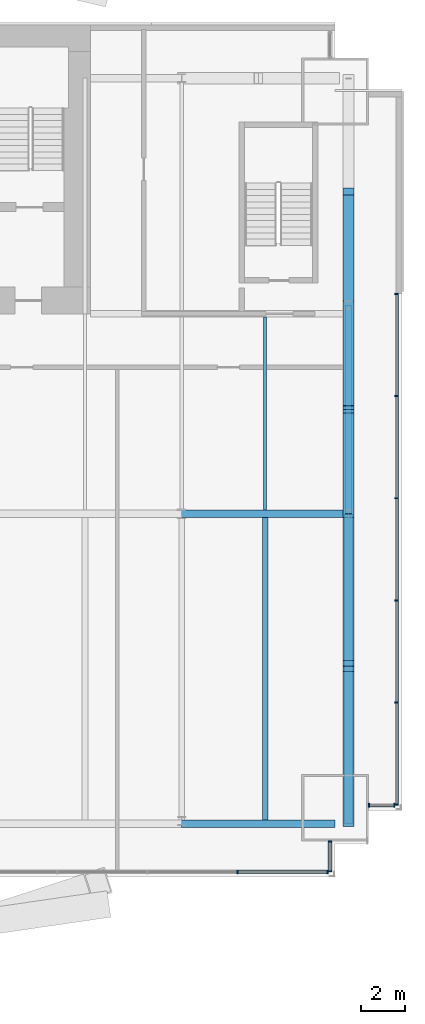
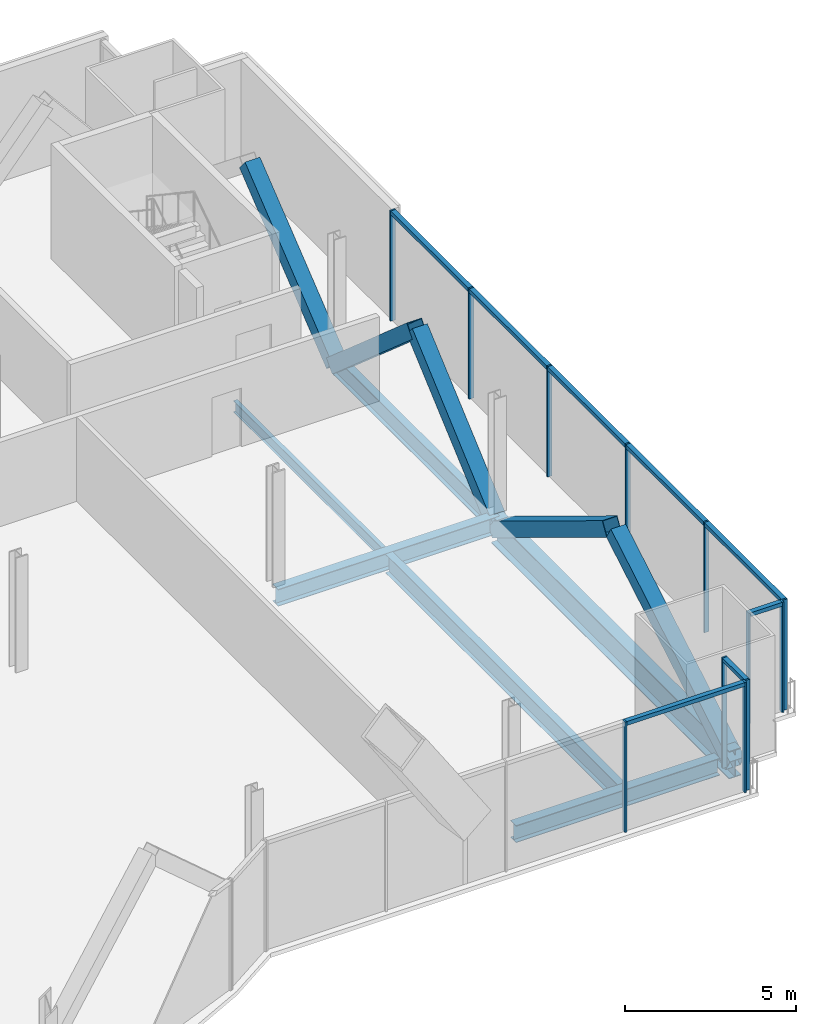
# One storey, part 13 of 22: 25 members, 6 beams, 4 elements without a shape of their own.
"""IFC4 building model written with IfcOpenShell, lengths in metres."""

from ifc_helpers import new_model, si_unit, direction, frame, origin, origin_2d, place, context, subcontext, project, spatial, rectangle, hollow_rectangle, i_section, extrude, material, material_profile, profile_set, type_object, element, aggregate, save


model = new_model("IFC4")

# Units and contexts
model_context = context("Model", 3, precision=1e-05, world=origin(), true_north=direction((0.0, 1.0)))
body_context = subcontext(model_context, "Body", "Model", "MODEL_VIEW")
ifc_project = project(units=[si_unit("LENGTHUNIT", "METRE"), si_unit("AREAUNIT", "SQUARE_METRE"), si_unit("VOLUMEUNIT", "CUBIC_METRE"), si_unit("PLANEANGLEUNIT", "RADIAN"), si_unit("MASSUNIT", "GRAM", prefix="KILO")], contexts=[model_context])

# Site, building, storey
site_placement = place(None, origin())
site = spatial("IfcSite", under=ifc_project, at=site_placement, CompositionType="ELEMENT")
building_placement = place(site_placement, origin())
building = spatial("IfcBuilding", under=site, at=building_placement, Name="Bicima Exchange Tower", CompositionType="ELEMENT")
storey_placement = place(building_placement, frame((0.0, 0.0, 102.199951171875)))
storey = spatial("IfcBuildingStorey", under=building, at=storey_placement, Name="L21", CompositionType="ELEMENT", Elevation=102.199951171875)

# Curtain wall, members
ifc_material_1 = material(Name="Anodised bronze aluminium", Category="aluminium")
curtain_wall_type_1 = type_object("IfcCurtainWallType", Name="End face glass wall", PredefinedType="NOTDEFINED", material=ifc_material_1)
curtain_wall_1_placement = place(storey_placement, origin())
curtain_wall_1 = element("IfcCurtainWall", 1, at=curtain_wall_1_placement, inside=storey, type_object=curtain_wall_type_1, Name="End face glass wall L21 run 19", PredefinedType="NOTDEFINED")
ifc_material_profile_1 = material_profile(ifc_material_1, rectangle(XDim=0.159912109375, YDim=0.06005859375, at=origin_2d()))
ifc_profile_set_1 = profile_set([ifc_material_profile_1], Name="Anodised bronze aluminium")
member_type_1 = type_object("IfcMemberType", Name="End face glass wall mullion 60 x 160", PredefinedType="MULLION", material=ifc_profile_set_1)
member_1_placement = place(storey_placement, frame((35.77001953125, -35.080078125, 0.0), z_axis=(0.0, 0.0, 1.0), x_axis=(-1.0, 0.0, 0.0)))
member_1 = element("IfcMember", 2, at=member_1_placement, type_object=member_type_1, Name="End face glass wall mullion 1", PredefinedType="MULLION", context=body_context, shape_type="SweptSolid", body=[
    extrude(rectangle(XDim=0.159912109375, YDim=0.06005859375, at=origin_2d()), origin(), (0.0, 0.0, 1.0), 3.949951171875),
])
member_2_placement = place(storey_placement, frame((35.77001953125, -30.486083984375, 0.0), z_axis=(0.0, 0.0, 1.0), x_axis=(-1.0, 0.0, 0.0)))
member_2 = element("IfcMember", 3, at=member_2_placement, type_object=member_type_1, Name="End face glass wall mullion 2", PredefinedType="MULLION", context=body_context, shape_type="SweptSolid", body=[
    extrude(rectangle(XDim=0.159912109375, YDim=0.06005859375, at=origin_2d()), origin(), (0.0, 0.0, 1.0), 3.949951171875),
])
member_3_placement = place(storey_placement, frame((35.77001953125, -25.89208984375, 0.0), z_axis=(0.0, 0.0, 1.0), x_axis=(-1.0, 0.0, 0.0)))
member_3 = element("IfcMember", 4, at=member_3_placement, type_object=member_type_1, Name="End face glass wall mullion 3", PredefinedType="MULLION", context=body_context, shape_type="SweptSolid", body=[
    extrude(rectangle(XDim=0.159912109375, YDim=0.06005859375, at=origin_2d()), origin(), (0.0, 0.0, 1.0), 3.949951171875),
])
member_4_placement = place(storey_placement, frame((35.77001953125, -21.298095703125, 0.0), z_axis=(0.0, 0.0, 1.0), x_axis=(-1.0, 0.0, 0.0)))
member_4 = element("IfcMember", 5, at=member_4_placement, type_object=member_type_1, Name="End face glass wall mullion 4", PredefinedType="MULLION", context=body_context, shape_type="SweptSolid", body=[
    extrude(rectangle(XDim=0.159912109375, YDim=0.06005859375, at=origin_2d()), origin(), (0.0, 0.0, 1.0), 3.949951171875),
])
member_5_placement = place(storey_placement, frame((35.77001953125, -16.7041015625, 0.0), z_axis=(0.0, 0.0, 1.0), x_axis=(-1.0, 0.0, 0.0)))
member_5 = element("IfcMember", 6, at=member_5_placement, type_object=member_type_1, Name="End face glass wall mullion 5", PredefinedType="MULLION", context=body_context, shape_type="SweptSolid", body=[
    extrude(rectangle(XDim=0.159912109375, YDim=0.06005859375, at=origin_2d()), origin(), (0.0, 0.0, 1.0), 3.949951171875),
])
member_6_placement = place(storey_placement, frame((35.77001953125, -12.110107421875, 0.0), z_axis=(0.0, 0.0, 1.0), x_axis=(-1.0, 0.0, 0.0)))
member_6 = element("IfcMember", 7, at=member_6_placement, type_object=member_type_1, Name="End face glass wall mullion 6", PredefinedType="MULLION", context=body_context, shape_type="SweptSolid", body=[
    extrude(rectangle(XDim=0.159912109375, YDim=0.06005859375, at=origin_2d()), origin(), (0.0, 0.0, 1.0), 3.949951171875),
])
ifc_material_profile_2 = material_profile(ifc_material_1, rectangle(XDim=0.159912109375, YDim=0.139892578125, at=origin_2d()))
ifc_profile_set_2 = profile_set([ifc_material_profile_2], Name="Anodised bronze aluminium")
member_type_2 = type_object("IfcMemberType", Name="End face glass wall transom 140 x 160", PredefinedType="USERDEFINED", material=ifc_profile_set_2)
member_7_placement = place(storey_placement, frame((35.77001953125, -35.050048828125, 3.880126953125), z_axis=(0.0, 1.0, 0.0), x_axis=(-1.0, 0.0, 0.0)))
member_7 = element("IfcMember", 8, at=member_7_placement, type_object=member_type_2, Name="End face glass wall transom 1.1", ObjectType="TRANSOM", PredefinedType="USERDEFINED", context=body_context, shape_type="SweptSolid", body=[
    extrude(rectangle(XDim=0.159912109375, YDim=0.139892578125, at=origin_2d()), origin(), (0.0, 0.0, 1.0), 4.533935546875),
])
member_8_placement = place(storey_placement, frame((35.77001953125, -30.4560546875, 3.880126953125), z_axis=(0.0, 1.0, 0.0), x_axis=(-1.0, 0.0, 0.0)))
member_8 = element("IfcMember", 9, at=member_8_placement, type_object=member_type_2, Name="End face glass wall transom 2.1", ObjectType="TRANSOM", PredefinedType="USERDEFINED", context=body_context, shape_type="SweptSolid", body=[
    extrude(rectangle(XDim=0.159912109375, YDim=0.139892578125, at=origin_2d()), origin(), (0.0, 0.0, 1.0), 4.533935546875),
])
member_9_placement = place(storey_placement, frame((35.77001953125, -25.862060546875, 3.880126953125), z_axis=(0.0, 1.0, 0.0), x_axis=(-1.0, 0.0, 0.0)))
member_9 = element("IfcMember", 10, at=member_9_placement, type_object=member_type_2, Name="End face glass wall transom 3.1", ObjectType="TRANSOM", PredefinedType="USERDEFINED", context=body_context, shape_type="SweptSolid", body=[
    extrude(rectangle(XDim=0.159912109375, YDim=0.139892578125, at=origin_2d()), origin(), (0.0, 0.0, 1.0), 4.5341796875),
])
member_10_placement = place(storey_placement, frame((35.77001953125, -21.26806640625, 3.880126953125), z_axis=(0.0, 1.0, 0.0), x_axis=(-1.0, 0.0, 0.0)))
member_10 = element("IfcMember", 11, at=member_10_placement, type_object=member_type_2, Name="End face glass wall transom 4.1", ObjectType="TRANSOM", PredefinedType="USERDEFINED", context=body_context, shape_type="SweptSolid", body=[
    extrude(rectangle(XDim=0.159912109375, YDim=0.139892578125, at=origin_2d()), origin(), (0.0, 0.0, 1.0), 4.5341796875),
])
member_11_placement = place(storey_placement, frame((35.77001953125, -16.674072265625, 3.880126953125), z_axis=(0.0, 1.0, 0.0), x_axis=(-1.0, 0.0, 0.0)))
member_11 = element("IfcMember", 12, at=member_11_placement, type_object=member_type_2, Name="End face glass wall transom 5.1", ObjectType="TRANSOM", PredefinedType="USERDEFINED", context=body_context, shape_type="SweptSolid", body=[
    extrude(rectangle(XDim=0.159912109375, YDim=0.139892578125, at=origin_2d()), origin(), (0.0, 0.0, 1.0), 4.5341796875),
])
aggregate(curtain_wall_1, [member_1, member_2, member_3, member_4, member_5, member_6, member_7, member_8, member_9, member_10, member_11])

# Beams
ifc_material_2 = material(Name="Steel ASTM A992 Gr 50", Category="steel")
ifc_material_profile_3 = material_profile(ifc_material_2, i_section(OverallWidth=0.256591796875, OverallDepth=0.693359375, WebThickness=0.014404296875, FlangeThickness=0.023681640625, at=origin_2d()))
ifc_profile_set_3 = profile_set([ifc_material_profile_3], Name="Steel ASTM A992 Gr 50")
beam_type_1 = type_object("IfcBeamType", Name="End girder W27x114", PredefinedType="BEAM", material=ifc_profile_set_3)
beam_1_placement = place(storey_placement, frame((33.60009765625, -12.60009765625, -0.49658203125), z_axis=(0.0, -1.0, 0.0), x_axis=(1.0, 0.0, 0.0)))
element("IfcBeam", 13, at=beam_1_placement, inside=storey, type_object=beam_type_1, Name="End girder", PredefinedType="BEAM", context=body_context, shape_type="SweptSolid", body=[
    extrude(i_section(OverallWidth=0.256591796875, OverallDepth=0.693359375, WebThickness=0.014404296875, FlangeThickness=0.023681640625, at=origin_2d()), origin(), (0.0, 0.0, 1.0), 9.39990234375),
])
ifc_material_profile_4 = material_profile(ifc_material_2, i_section(OverallWidth=0.4013671875, OverallDepth=0.990478515625, WebThickness=0.0166015625, FlangeThickness=0.031005859375, at=origin_2d()))
ifc_profile_set_4 = profile_set([ifc_material_profile_4], Name="Steel ASTM A992 Gr 50")
beam_type_2 = type_object("IfcBeamType", Name="End girder W40x215", PredefinedType="BEAM", material=ifc_profile_set_4)
beam_2_placement = place(storey_placement, frame((33.60009765625, -22.0, -0.645263671875), z_axis=(0.0, -1.0, 0.0), x_axis=(1.0, 0.0, 0.0)))
element("IfcBeam", 14, at=beam_2_placement, inside=storey, type_object=beam_type_2, Name="End girder", PredefinedType="BEAM", context=body_context, shape_type="SweptSolid", body=[
    extrude(i_section(OverallWidth=0.4013671875, OverallDepth=0.990478515625, WebThickness=0.0166015625, FlangeThickness=0.031005859375, at=origin_2d()), origin(), (0.0, 0.0, 1.0), 13.93994140625),
])
ifc_material_profile_5 = material_profile(ifc_material_2, i_section(OverallWidth=0.140380859375, OverallDepth=0.40380859375, WebThickness=0.007080078125, FlangeThickness=0.01123046875, at=origin_2d()))
ifc_profile_set_5 = profile_set([ifc_material_profile_5], Name="Steel ASTM A992 Gr 50")
beam_type_3 = type_object("IfcBeamType", Name="Floor beam W16x31", PredefinedType="JOIST", material=ifc_profile_set_5)
beam_3_placement = place(storey_placement, frame((29.85009765625, -13.15234375, -0.351806640625), z_axis=(0.0, -1.0, 0.0), x_axis=(1.0, 0.0, 0.0)))
element("IfcBeam", 15, at=beam_3_placement, inside=storey, type_object=beam_type_3, Name="Floor beam", PredefinedType="JOIST", context=body_context, shape_type="SweptSolid", body=[
    extrude(i_section(OverallWidth=0.140380859375, OverallDepth=0.40380859375, WebThickness=0.007080078125, FlangeThickness=0.01123046875, at=origin_2d()), origin(), (0.0, 0.0, 1.0), 8.68505859375),
])
ifc_material_profile_6 = material_profile(ifc_material_2, i_section(OverallWidth=0.25390625, OverallDepth=0.67822265625, WebThickness=0.01171875, FlangeThickness=0.016357421875, at=origin_2d()))
ifc_profile_set_6 = profile_set([ifc_material_profile_6], Name="Steel ASTM A992 Gr 50")
beam_type_4 = type_object("IfcBeamType", Name="Floor beam W27x84", PredefinedType="JOIST", material=ifc_profile_set_6)
beam_4_placement = place(storey_placement, frame((29.85009765625, -22.16259765625, -0.489013671875), z_axis=(0.0, -1.0, 0.0), x_axis=(1.0, 0.0, 0.0)))
element("IfcBeam", 16, at=beam_4_placement, inside=storey, type_object=beam_type_4, Name="Floor beam", PredefinedType="JOIST", context=body_context, shape_type="SweptSolid", body=[
    extrude(i_section(OverallWidth=0.25390625, OverallDepth=0.67822265625, WebThickness=0.01171875, FlangeThickness=0.016357421875, at=origin_2d()), origin(), (0.0, 0.0, 1.0), 13.61474609375),
])
ifc_material_profile_7 = material_profile(ifc_material_2, i_section(OverallWidth=0.3251953125, OverallDepth=0.612060546875, WebThickness=0.0126953125, FlangeThickness=0.01904296875, at=origin_2d()))
ifc_profile_set_7 = profile_set([ifc_material_profile_7], Name="Steel ASTM A992 Gr 50")
beam_type_5 = type_object("IfcBeamType", Name="Front girder W24x104", PredefinedType="BEAM", material=ifc_profile_set_7)
beam_5_placement = place(storey_placement, frame((26.10009765625, -35.93994140625, -0.4560546875), z_axis=(1.0, 0.0, 0.0), x_axis=(0.0, 1.0, 0.0)))
element("IfcBeam", 17, at=beam_5_placement, inside=storey, type_object=beam_type_5, Name="Front girder", PredefinedType="BEAM", context=body_context, shape_type="SweptSolid", body=[
    extrude(i_section(OverallWidth=0.3251953125, OverallDepth=0.612060546875, WebThickness=0.0126953125, FlangeThickness=0.01904296875, at=origin_2d()), origin(), (0.0, 0.0, 1.0), 6.89990234375),
])

# Curtain wall, members
curtain_wall_type_2 = type_object("IfcCurtainWallType", Name="Front glass wall", PredefinedType="NOTDEFINED", material=ifc_material_1)
curtain_wall_2_placement = place(storey_placement, origin())
curtain_wall_2 = element("IfcCurtainWall", 18, at=curtain_wall_2_placement, inside=storey, type_object=curtain_wall_type_2, Name="Front glass wall L21 run 16", PredefinedType="NOTDEFINED")
member_type_3 = type_object("IfcMemberType", Name="Front glass wall mullion 60 x 160", PredefinedType="MULLION", material=ifc_profile_set_1)
member_12_placement = place(storey_placement, frame((28.610595703125, -38.110107421875, 0.0), z_axis=(0.0, 0.0, 1.0), x_axis=(0.0, 1.0, 0.0)))
member_12 = element("IfcMember", 19, at=member_12_placement, type_object=member_type_3, Name="Front glass wall mullion 4", PredefinedType="MULLION", context=body_context, shape_type="SweptSolid", body=[
    extrude(rectangle(XDim=0.159912109375, YDim=0.06005859375, at=origin_2d()), origin(), (0.0, 0.0, 1.0), 3.949951171875),
])
member_13_placement = place(storey_placement, frame((32.659912109375, -38.110107421875, 0.0), z_axis=(0.0, 0.0, 1.0), x_axis=(0.0, 1.0, 0.0)))
member_13 = element("IfcMember", 20, at=member_13_placement, type_object=member_type_3, Name="Front glass wall mullion 5", PredefinedType="MULLION", context=body_context, shape_type="SweptSolid", body=[
    extrude(rectangle(XDim=0.159912109375, YDim=0.06005859375, at=origin_2d()), origin(), (0.0, 0.0, 1.0), 3.949951171875),
])

curtain_wall_3_placement = place(storey_placement, origin())
curtain_wall_3 = element("IfcCurtainWall", 21, at=curtain_wall_3_placement, inside=storey, type_object=curtain_wall_type_2, Name="Front glass wall L21 run 17", PredefinedType="NOTDEFINED")
member_14_placement = place(storey_placement, frame((32.77001953125, -38.080078125, 0.0), z_axis=(0.0, 0.0, 1.0), x_axis=(-1.0, 0.0, 0.0)))
member_14 = element("IfcMember", 22, at=member_14_placement, type_object=member_type_3, Name="Front glass wall mullion 1", PredefinedType="MULLION", context=body_context, shape_type="SweptSolid", body=[
    extrude(rectangle(XDim=0.159912109375, YDim=0.06005859375, at=origin_2d()), origin(), (0.0, 0.0, 1.0), 3.949951171875),
])
member_15_placement = place(storey_placement, frame((32.77001953125, -36.748046875, 0.0), z_axis=(0.0, 0.0, 1.0), x_axis=(-1.0, 0.0, 0.0)))
member_15 = element("IfcMember", 23, at=member_15_placement, type_object=member_type_3, Name="Front glass wall mullion 2", PredefinedType="MULLION", context=body_context, shape_type="SweptSolid", body=[
    extrude(rectangle(XDim=0.159912109375, YDim=0.06005859375, at=origin_2d()), origin(), (0.0, 0.0, 1.0), 3.949951171875),
])

curtain_wall_4_placement = place(storey_placement, origin())
curtain_wall_4 = element("IfcCurtainWall", 24, at=curtain_wall_4_placement, inside=storey, type_object=curtain_wall_type_2, Name="Front glass wall L21 run 18", PredefinedType="NOTDEFINED")
member_16_placement = place(storey_placement, frame((34.530029296875, -35.110107421875, 0.0), z_axis=(0.0, 0.0, 1.0), x_axis=(0.0, 1.0, 0.0)))
member_16 = element("IfcMember", 25, at=member_16_placement, type_object=member_type_3, Name="Front glass wall mullion 1", PredefinedType="MULLION", context=body_context, shape_type="SweptSolid", body=[
    extrude(rectangle(XDim=0.159912109375, YDim=0.06005859375, at=origin_2d()), origin(), (0.0, 0.0, 1.0), 3.949951171875),
])
member_17_placement = place(storey_placement, frame((35.659912109375, -35.110107421875, 0.0), z_axis=(0.0, 0.0, 1.0), x_axis=(0.0, 1.0, 0.0)))
member_17 = element("IfcMember", 26, at=member_17_placement, type_object=member_type_3, Name="Front glass wall mullion 2", PredefinedType="MULLION", context=body_context, shape_type="SweptSolid", body=[
    extrude(rectangle(XDim=0.159912109375, YDim=0.06005859375, at=origin_2d()), origin(), (0.0, 0.0, 1.0), 3.949951171875),
])

# Member
member_type_4 = type_object("IfcMemberType", Name="Front glass wall transom 140 x 160", PredefinedType="USERDEFINED", material=ifc_profile_set_2)
member_18_placement = place(storey_placement, frame((28.640380859375, -38.110107421875, 3.880126953125), z_axis=(1.0, 0.0, 0.0), x_axis=(0.0, 1.0, 0.0)))
member_18 = element("IfcMember", 27, at=member_18_placement, type_object=member_type_4, Name="Front glass wall transom 4.1", ObjectType="TRANSOM", PredefinedType="USERDEFINED", context=body_context, shape_type="SweptSolid", body=[
    extrude(rectangle(XDim=0.159912109375, YDim=0.139892578125, at=origin_2d()), origin(), (0.0, 0.0, 1.0), 3.989501953125),
])

aggregate(curtain_wall_2, [member_12, member_13, member_18])

member_19_placement = place(storey_placement, frame((32.77001953125, -38.050048828125, 3.880126953125), z_axis=(0.0, 1.0, 0.0), x_axis=(-1.0, 0.0, 0.0)))
member_19 = element("IfcMember", 28, at=member_19_placement, type_object=member_type_4, Name="Front glass wall transom 1.1", ObjectType="TRANSOM", PredefinedType="USERDEFINED", context=body_context, shape_type="SweptSolid", body=[
    extrude(rectangle(XDim=0.159912109375, YDim=0.139892578125, at=origin_2d()), origin(), (0.0, 0.0, 1.0), 1.27197265625),
])

aggregate(curtain_wall_3, [member_14, member_15, member_19])

member_20_placement = place(storey_placement, frame((34.56005859375, -35.110107421875, 3.880126953125), z_axis=(1.0, 0.0, 0.0), x_axis=(0.0, 1.0, 0.0)))
member_20 = element("IfcMember", 29, at=member_20_placement, type_object=member_type_4, Name="Front glass wall transom 1.1", ObjectType="TRANSOM", PredefinedType="USERDEFINED", context=body_context, shape_type="SweptSolid", body=[
    extrude(rectangle(XDim=0.159912109375, YDim=0.139892578125, at=origin_2d()), origin(), (0.0, 0.0, 1.0), 1.06982421875),
])

aggregate(curtain_wall_4, [member_16, member_17, member_20])

# Members
ifc_material_3 = material(Name="Steel ASTM A572 Gr 50", Category="steel")
ifc_material_profile_8 = material_profile(ifc_material_3, hollow_rectangle(XDim=0.508056640625, YDim=0.508056640625, WallThickness=0.0146484375, at=origin_2d()))
ifc_profile_set_8 = profile_set([ifc_material_profile_8], Name="Steel ASTM A572 Gr 50")
member_type_5 = type_object("IfcMemberType", Name="Mega brace HSS20x20x5/8", PredefinedType="BRACE", material=ifc_profile_set_8)
member_21_placement = place(storey_placement, frame((33.60009765625, -12.60009765625, -0.49658203125), z_axis=(0.0, 0.779392460608, 0.626536026376), x_axis=(-1.0, 0.0, 0.0)))
element("IfcMember", 30, at=member_21_placement, inside=storey, type_object=member_type_5, Name="Mega brace east end", PredefinedType="BRACE", context=body_context, shape_type="SweptSolid", body=[
    extrude(hollow_rectangle(XDim=0.508056640625, YDim=0.508056640625, WallThickness=0.0146484375, at=origin_2d()), origin(), (0.0, 0.0, 1.0), 6.543701171875),
])
for number, where, z_axis, x_axis, name in (
    (31, (33.60009765625, -12.60009765625, -0.49658203125), (0.0, -0.753577308711, 0.657359292774), (1.0, 0.0, 0.0), "Mega brace east end"),
    (32, (33.60009765625, -22.0, -0.49658203125), (0.0, 0.753577308711, 0.657359292774), (-1.0, 0.0, 0.0), "Mega brace east end"),
):
    element("IfcMember", number, at=place(storey_placement, frame(where, z_axis=z_axis, x_axis=x_axis)), inside=storey, type_object=member_type_5, Name=name, PredefinedType="BRACE", context=body_context, shape_type="SweptSolid", body=[
        extrude(hollow_rectangle(XDim=0.508056640625, YDim=0.508056640625, WallThickness=0.0146484375, at=origin_2d()), origin(), (0.0, 0.0, 1.0), 6.23681640625),
    ])
member_22_placement = place(storey_placement, frame((33.60009765625, -22.0, -0.645263671875), z_axis=(0.0, -0.853862026104, 0.520499414388), x_axis=(1.0, 0.0, 0.0)))
element("IfcMember", 33, at=member_22_placement, inside=storey, type_object=member_type_5, Name="Mega brace east end", PredefinedType="BRACE", context=body_context, shape_type="SweptSolid", body=[
    extrude(hollow_rectangle(XDim=0.508056640625, YDim=0.508056640625, WallThickness=0.0146484375, at=origin_2d()), origin(), (0.0, 0.0, 1.0), 7.877197265625),
])
member_23_placement = place(storey_placement, frame((33.60009765625, -35.93994140625, -0.645263671875), z_axis=(0.0, 0.86192800611, 0.507030681797), x_axis=(-1.0, 0.0, 0.0)))
element("IfcMember", 34, at=member_23_placement, inside=storey, type_object=member_type_5, Name="Mega brace east end", PredefinedType="BRACE", context=body_context, shape_type="SweptSolid", body=[
    extrude(hollow_rectangle(XDim=0.508056640625, YDim=0.508056640625, WallThickness=0.0146484375, at=origin_2d()), origin(), (0.0, 0.0, 1.0), 8.08642578125),
])

# Beam
beam_type_6 = type_object("IfcBeamType", Name="Row girder W24x104", PredefinedType="BEAM", material=ifc_profile_set_7)
beam_6_placement = place(storey_placement, frame((26.10009765625, -22.0, -0.4560546875), z_axis=(1.0, 0.0, 0.0), x_axis=(0.0, 1.0, 0.0)))
element("IfcBeam", 35, at=beam_6_placement, inside=storey, type_object=beam_type_6, Name="Row girder", PredefinedType="BEAM", context=body_context, shape_type="SweptSolid", body=[
    extrude(i_section(OverallWidth=0.3251953125, OverallDepth=0.612060546875, WebThickness=0.0126953125, FlangeThickness=0.01904296875, at=origin_2d()), origin(), (0.0, 0.0, 1.0), 7.5),
])

save(model, "model.ifc")
